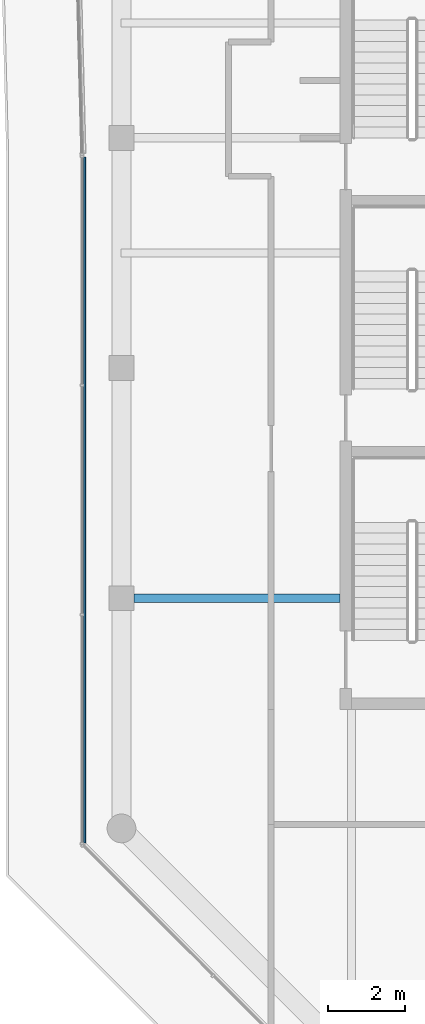
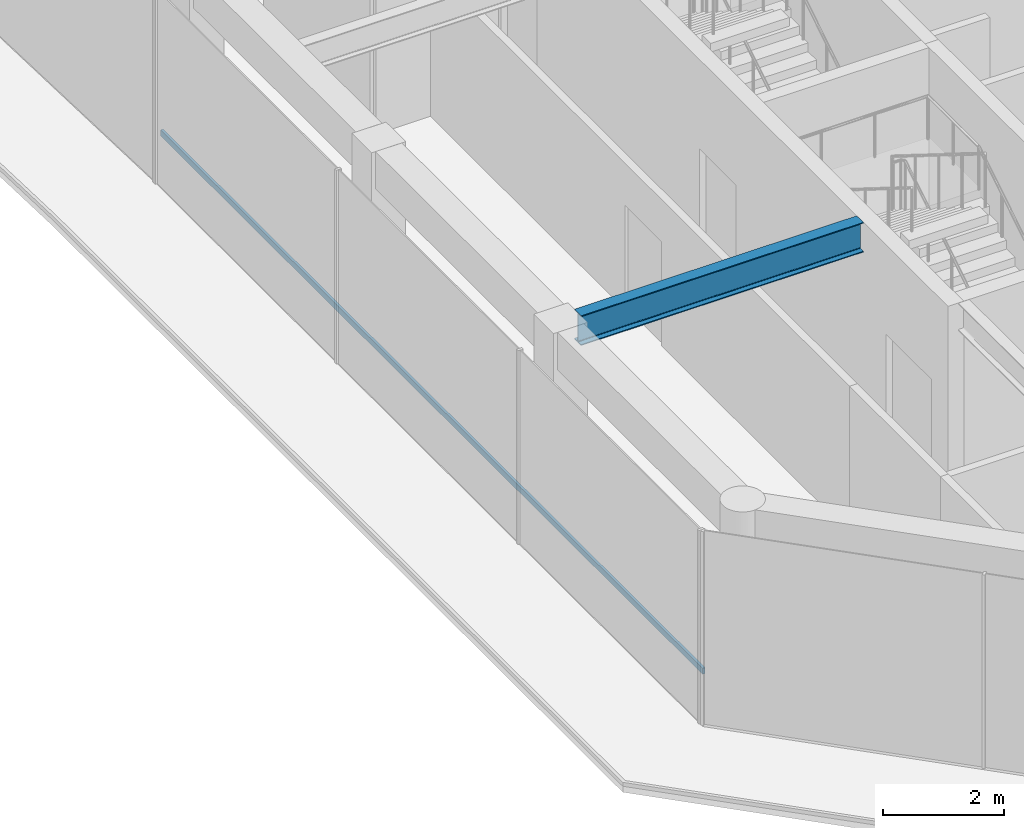
# One storey, part 3 of 20: 1 beam, 1 member, 1 element without a shape of its own.
"""IFC4 building model written with IfcOpenShell, lengths in metres."""

from ifc_helpers import new_model, si_unit, direction, frame, origin, origin_2d, place, context, subcontext, project, spatial, rectangle, i_section, extrude, material, layer, layer_set, material_profile, profile_set, type_object, element, aggregate, save


model = new_model("IFC4")

# Units and contexts
model_context = context("Model", 3, precision=1e-05, world=origin(), true_north=direction((0.0, 1.0)))
body_context = subcontext(model_context, "Body", "Model", "MODEL_VIEW")
ifc_project = project(units=[si_unit("LENGTHUNIT", "METRE"), si_unit("AREAUNIT", "SQUARE_METRE"), si_unit("VOLUMEUNIT", "CUBIC_METRE"), si_unit("PLANEANGLEUNIT", "RADIAN"), si_unit("MASSUNIT", "GRAM", prefix="KILO")], contexts=[model_context])

# Site, building, storey
site_placement = place(None, origin())
site = spatial("IfcSite", under=ifc_project, at=site_placement, CompositionType="ELEMENT")
building_placement = place(site_placement, origin())
building = spatial("IfcBuilding", under=site, at=building_placement, Name="Welwitschia Terrace Campus", CompositionType="ELEMENT")
storey_placement = place(building_placement, frame((0.0, 0.0, 327.199951171875)))
storey = spatial("IfcBuildingStorey", under=building, at=storey_placement, Name="L73", CompositionType="ELEMENT", Elevation=327.199951171875)

# Beam
ifc_material_1 = material(Name="Steel S355", Category="steel")
ifc_material_profile_1 = material_profile(ifc_material_1, i_section(OverallWidth=0.219970703125, OverallDepth=0.60009765625, WebThickness=0.011962890625, FlangeThickness=0.01904296875, FilletRadius=0.02392578125, at=origin_2d()))
ifc_profile_set_1 = profile_set([ifc_material_profile_1], Name="Steel S355")
beam_type = type_object("IfcBeamType", Name="Primary beam IPE 600", PredefinedType="BEAM", material=ifc_profile_set_1)
beam_placement = place(storey_placement, frame((0.325439453125, 8.0, 3.60009765625), z_axis=(1.0, 0.0, 0.0), x_axis=(0.0, 1.0, 0.0)))
element("IfcBeam", 1, at=beam_placement, inside=storey, type_object=beam_type, Name="Primary beam PB7", PredefinedType="BEAM", context=body_context, shape_type="SweptSolid", body=[
    extrude(i_section(OverallWidth=0.219970703125, OverallDepth=0.60009765625, WebThickness=0.011962890625, FlangeThickness=0.01904296875, FilletRadius=0.02392578125, at=origin_2d()), origin(), (0.0, 0.0, 1.0), 5.37451171875),
])

# Curtain wall, member
ifc_material_2 = material(Name="Bronze anodised aluminium", Category="aluminium")
ifc_layer = layer(ifc_material_2, 0.10009765625)
ifc_layer_set = layer_set([ifc_layer], Name="Bronze anodised aluminium")
curtain_wall_type = type_object("IfcCurtainWallType", Name="Curtain wall CW5 crown 6000", PredefinedType="NOTDEFINED", material=ifc_layer_set)
curtain_wall_placement = place(storey_placement, origin())
curtain_wall = element("IfcCurtainWall", 2, at=curtain_wall_placement, inside=storey, type_object=curtain_wall_type, Name="CW L73.0.0", PredefinedType="NOTDEFINED")
ifc_material_3 = material(Name="Bronze anodised aluminium", Category="aluminium")
ifc_material_profile_2 = material_profile(ifc_material_3, rectangle(XDim=0.050048828125, YDim=0.1201171875, at=origin_2d()))
ifc_profile_set_2 = profile_set([ifc_material_profile_2], Name="Bronze anodised aluminium")
member_type = type_object("IfcMemberType", Name="Transom 50x120", PredefinedType="USERDEFINED", material=ifc_profile_set_2)
member_placement = place(storey_placement, frame((-0.955078125, 19.49951171875, 1.0), z_axis=(0.0, -1.0, 0.0), x_axis=(1.0, 0.0, 0.0)))
member = element("IfcMember", 3, at=member_placement, type_object=member_type, Name="Transom L73.0.0", ObjectType="TRANSOM", PredefinedType="USERDEFINED", context=body_context, shape_type="SweptSolid", body=[
    extrude(rectangle(XDim=0.050048828125, YDim=0.1201171875, at=origin_2d()), origin(), (0.0, 0.0, 1.0), 17.876220703125),
])
aggregate(curtain_wall, [member])

save(model, "model.ifc")
